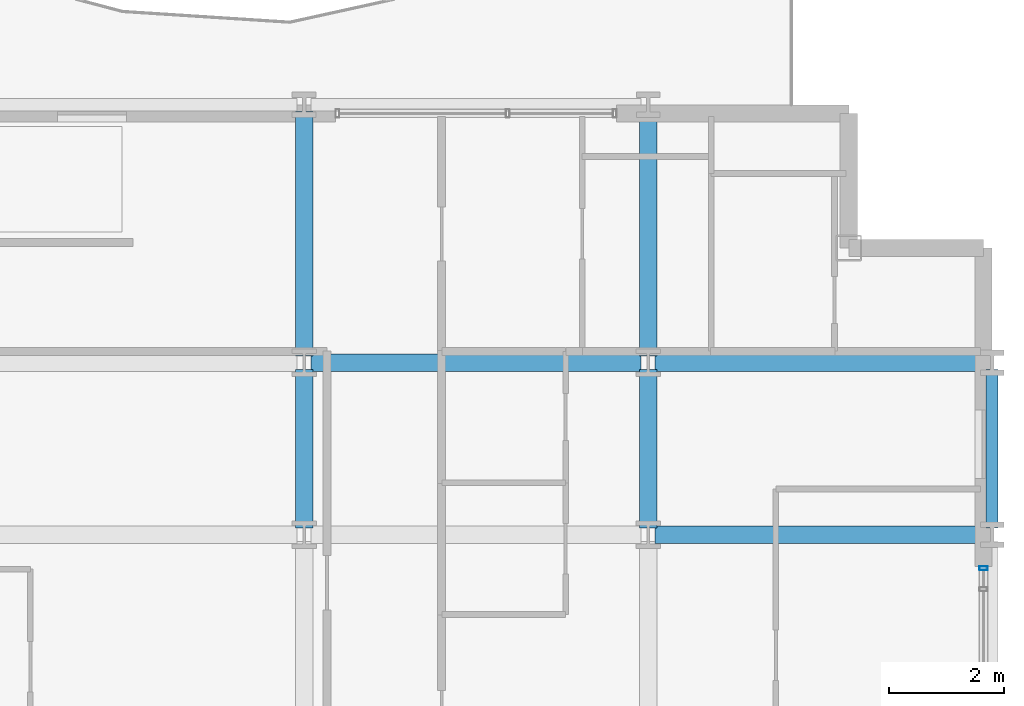
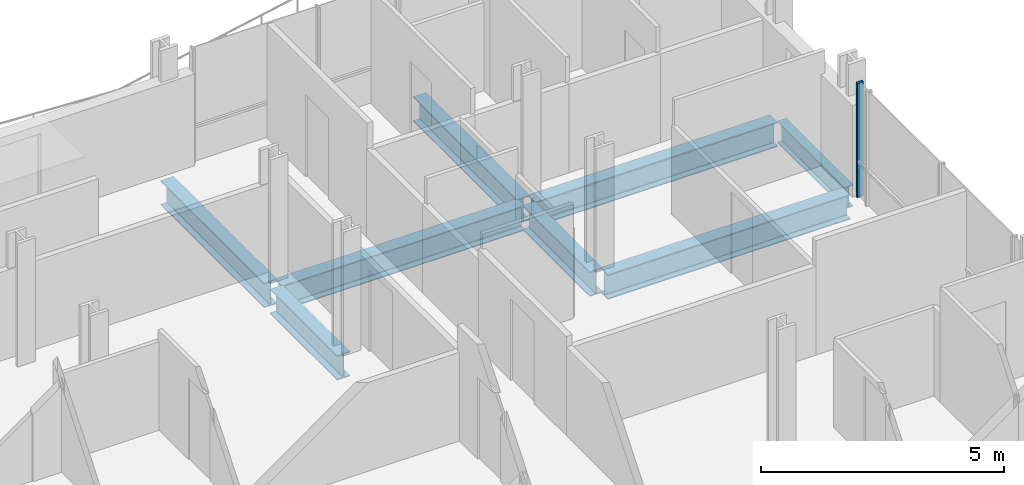
# One storey, part 20 of 41: 8 beams, 1 member, 1 element without a shape of its own.
"""IFC4 building model written with IfcOpenShell, lengths in metres."""

from ifc_helpers import new_model, si_unit, direction, frame, origin, origin_2d, place, context, subcontext, project, spatial, hollow_rectangle, i_section, extrude, material, layer, layer_set, material_profile, profile_set, type_object, element, aggregate, save


model = new_model("IFC4")

# Units and contexts
model_context = context("Model", 3, precision=1e-05, world=origin(), true_north=direction((0.0, 1.0)))
body_context = subcontext(model_context, "Body", "Model", "MODEL_VIEW")
ifc_project = project(units=[si_unit("LENGTHUNIT", "METRE"), si_unit("AREAUNIT", "SQUARE_METRE"), si_unit("VOLUMEUNIT", "CUBIC_METRE"), si_unit("PLANEANGLEUNIT", "RADIAN"), si_unit("MASSUNIT", "GRAM", prefix="KILO")], contexts=[model_context])

# Site, building, storey
site_placement = place(None, origin())
site = spatial("IfcSite", under=ifc_project, at=site_placement, CompositionType="ELEMENT")
building_placement = place(site_placement, origin())
building = spatial("IfcBuilding", under=site, at=building_placement, Name="Brevholm Reach", CompositionType="ELEMENT")
storey_placement = place(building_placement, frame((0.0, 0.0, 49.699951171875)))
storey = spatial("IfcBuildingStorey", under=building, at=storey_placement, Name="L13", CompositionType="ELEMENT", Elevation=49.699951171875)

# Beams
ifc_material_1 = material(Name="Structural Steel S355J2", Category="steel")
ifc_material_profile_1 = material_profile(ifc_material_1, i_section(OverallWidth=0.210693359375, OverallDepth=0.53955078125, WebThickness=0.01171875, FlangeThickness=0.018798828125, FilletRadius=0.0126953125, at=origin_2d()), Name="UKB 533x210x109")
ifc_profile_set_1 = profile_set([ifc_material_profile_1], Name="Structural Steel S355J2")
beam_type_1 = type_object("IfcBeamType", Name="BM-SP539", PredefinedType="SPANDREL", material=ifc_profile_set_1)
beam_1_placement = place(storey_placement, frame((60.0, 23.6201171875, -0.499755859375), z_axis=(0.0, 1.0, 0.0), x_axis=(-1.0, 0.0, 0.0)))
element("IfcBeam", 1, at=beam_1_placement, inside=storey, type_object=beam_type_1, Name="L13 SP-01B Framing Beam", PredefinedType="SPANDREL", context=body_context, shape_type="SweptSolid", body=[
    extrude(i_section(OverallWidth=0.210693359375, OverallDepth=0.53955078125, WebThickness=0.01171875, FlangeThickness=0.018798828125, FilletRadius=0.0126953125, at=origin_2d()), origin(), (0.0, 0.0, 1.0), 2.759765625),
])
ifc_material_2 = material(Name="Structural Steel S355J2", Category="steel")
ifc_material_profile_2 = material_profile(ifc_material_2, i_section(OverallWidth=0.30712890625, OverallDepth=0.6201171875, WebThickness=0.01416015625, FlangeThickness=0.023681640625, FilletRadius=0.0166015625, at=origin_2d()), Name="UKB 610x305x179")
ifc_profile_set_2 = profile_set([ifc_material_profile_2], Name="Structural Steel S355J2")
beam_type_2 = type_object("IfcBeamType", Name="BM-UKB610H", PredefinedType="USERDEFINED", material=ifc_profile_set_2)
for number, where, z_axis, x_axis, name in (
    (2, (54.1201171875, 23.5, -0.5400390625), (1.0, 0.0, 0.0), (0.0, 1.0, 0.0), "L13 G-06 Framing Beam"),
    (3, (48.1201171875, 26.5, -0.5400390625), (1.0, 0.0, 0.0), (0.0, 1.0, 0.0), "L13 G-06 Framing Beam"),
    (4, (54.1201171875, 26.5, -0.5400390625), (1.0, 0.0, 0.0), (0.0, 1.0, 0.0), "L13 G-06 Framing Beam"),
):
    element("IfcBeam", number, at=place(storey_placement, frame(where, z_axis=z_axis, x_axis=x_axis)), inside=storey, type_object=beam_type_2, Name=name, ObjectType="GIRDER", PredefinedType="USERDEFINED", context=body_context, shape_type="SweptSolid", body=[
        extrude(i_section(OverallWidth=0.30712890625, OverallDepth=0.6201171875, WebThickness=0.01416015625, FlangeThickness=0.023681640625, FilletRadius=0.0166015625, at=origin_2d()), origin(), (0.0, 0.0, 1.0), 5.759765625),
    ])
beam_2_placement = place(storey_placement, frame((48.0, 23.6201171875, -0.5400390625), z_axis=(0.0, 1.0, 0.0), x_axis=(-1.0, 0.0, 0.0)))
element("IfcBeam", 5, at=beam_2_placement, inside=storey, type_object=beam_type_2, Name="L13 G-06 Framing Beam", ObjectType="GIRDER", PredefinedType="USERDEFINED", context=body_context, shape_type="SweptSolid", body=[
    extrude(i_section(OverallWidth=0.30712890625, OverallDepth=0.6201171875, WebThickness=0.01416015625, FlangeThickness=0.023681640625, FilletRadius=0.0166015625, at=origin_2d()), origin(), (0.0, 0.0, 1.0), 2.759765625),
])
beam_3_placement = place(storey_placement, frame((48.0, 26.6201171875, -0.5400390625), z_axis=(0.0, 1.0, 0.0), x_axis=(-1.0, 0.0, 0.0)))
element("IfcBeam", 6, at=beam_3_placement, inside=storey, type_object=beam_type_2, Name="L13 G-06 Framing Beam", ObjectType="GIRDER", PredefinedType="USERDEFINED", context=body_context, shape_type="SweptSolid", body=[
    extrude(i_section(OverallWidth=0.30712890625, OverallDepth=0.6201171875, WebThickness=0.01416015625, FlangeThickness=0.023681640625, FilletRadius=0.0166015625, at=origin_2d()), origin(), (0.0, 0.0, 1.0), 4.259765625),
])
beam_4_placement = place(storey_placement, frame((54.0, 23.6201171875, -0.5400390625), z_axis=(0.0, 1.0, 0.0), x_axis=(-1.0, 0.0, 0.0)))
element("IfcBeam", 7, at=beam_4_placement, inside=storey, type_object=beam_type_2, Name="L13 G-06 Framing Beam", ObjectType="GIRDER", PredefinedType="USERDEFINED", context=body_context, shape_type="SweptSolid", body=[
    extrude(i_section(OverallWidth=0.30712890625, OverallDepth=0.6201171875, WebThickness=0.01416015625, FlangeThickness=0.023681640625, FilletRadius=0.0166015625, at=origin_2d()), origin(), (0.0, 0.0, 1.0), 2.759765625),
])
beam_5_placement = place(storey_placement, frame((54.0, 26.6201171875, -0.5400390625), z_axis=(0.0, 1.0, 0.0), x_axis=(-1.0, 0.0, 0.0)))
element("IfcBeam", 8, at=beam_5_placement, inside=storey, type_object=beam_type_2, Name="L13 G-06 Framing Beam", ObjectType="GIRDER", PredefinedType="USERDEFINED", context=body_context, shape_type="SweptSolid", body=[
    extrude(i_section(OverallWidth=0.30712890625, OverallDepth=0.6201171875, WebThickness=0.01416015625, FlangeThickness=0.023681640625, FilletRadius=0.0166015625, at=origin_2d()), origin(), (0.0, 0.0, 1.0), 4.259765625),
])

# Curtain wall, member
ifc_material_3 = material(Name="Dark Anodised Aluminium 6063-T6 and Solar-Control Glass", Category="aluminium")
ifc_layer = layer(ifc_material_3, 0.14990234375)
ifc_layer_set = layer_set([ifc_layer], Name="Dark Anodised Aluminium 6063-T6 and Solar-Control Glass")
curtain_wall_type = type_object("IfcCurtainWallType", Name="CW-01", PredefinedType="NOTDEFINED", material=ifc_layer_set)
curtain_wall_placement = place(storey_placement, origin())
curtain_wall = element("IfcCurtainWall", 9, at=curtain_wall_placement, inside=storey, type_object=curtain_wall_type, Name="L13 Curtain Wall CW-01", PredefinedType="NOTDEFINED")
ifc_material_4 = material(Name="Dark Anodised Aluminium 6063-T6", Category="aluminium")
ifc_material_profile_3 = material_profile(ifc_material_4, hollow_rectangle(XDim=0.06494140625, YDim=0.14990234375, WallThickness=0.0048828125, InnerFilletRadius=0.0048828125, OuterFilletRadius=0.010009765625, at=origin_2d()), Name="RHS 150x65x5")
ifc_profile_set_3 = profile_set([ifc_material_profile_3], Name="Dark Anodised Aluminium 6063-T6")
member_type = type_object("IfcMemberType", Name="CWM-150", PredefinedType="MULLION", material=ifc_profile_set_3)
member_placement = place(storey_placement, frame((59.85009765625, 22.91748046875, 0.0), z_axis=(0.0, 0.0, 1.0), x_axis=(0.0, 1.0, 0.0)))
member = element("IfcMember", 10, at=member_placement, type_object=member_type, Name="CM-150 Mullion 6", PredefinedType="MULLION", context=body_context, shape_type="SweptSolid", body=[
    extrude(hollow_rectangle(XDim=0.06494140625, YDim=0.14990234375, WallThickness=0.0048828125, InnerFilletRadius=0.0048828125, OuterFilletRadius=0.010009765625, at=origin_2d()), origin(), (0.0, 0.0, 1.0), 2.8701171875),
])
aggregate(curtain_wall, [member])

save(model, "model.ifc")
